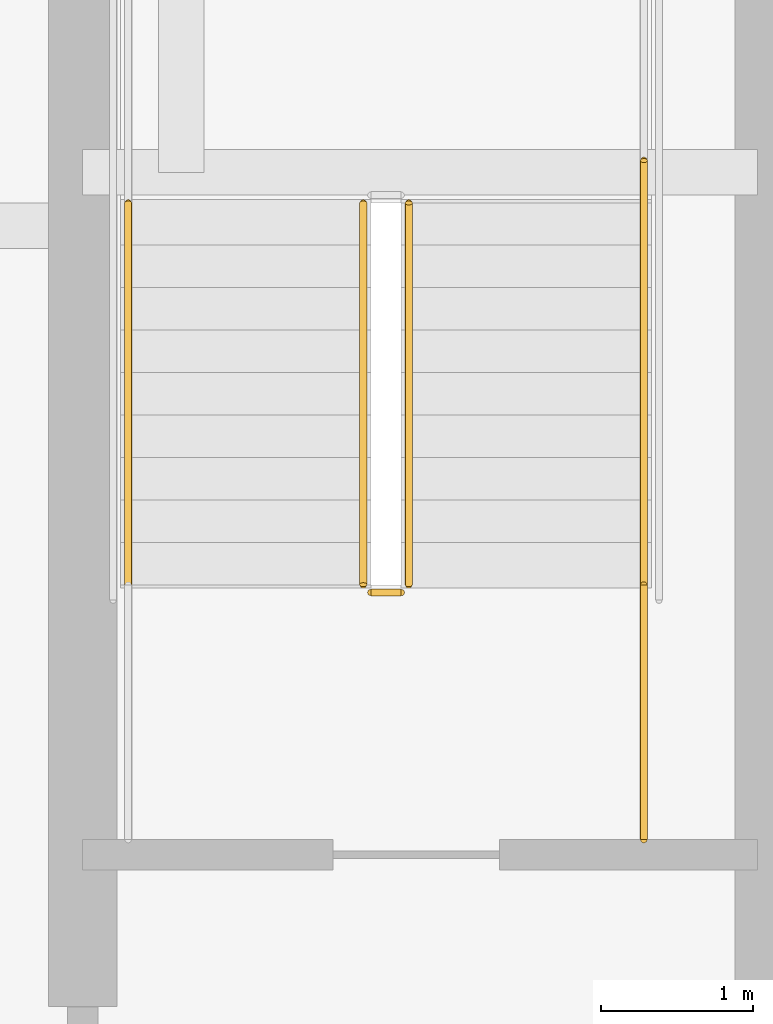
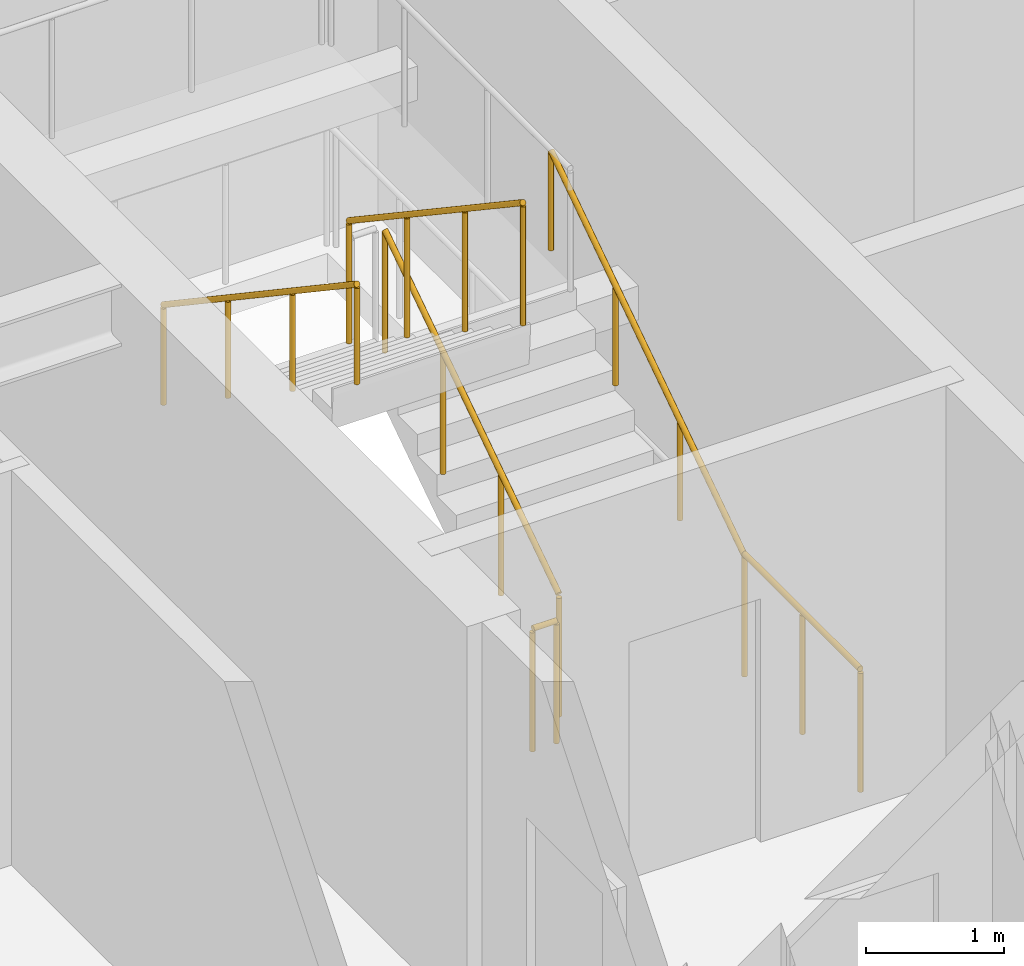
# One storey, part 35 of 40: 6 railings.
"""IFC4 building model written with IfcOpenShell, lengths in metres."""

from ifc_helpers import new_model, si_unit, direction, frame, origin, origin_2d, place, context, subcontext, project, spatial, circle, extrude, material, type_object, element, save


model = new_model("IFC4")

# Units and contexts
model_context = context("Model", 3, precision=1e-05, world=origin(), true_north=direction((0.0, 1.0)))
body_context = subcontext(model_context, "Body", "Model", "MODEL_VIEW")
ifc_project = project(units=[si_unit("LENGTHUNIT", "METRE"), si_unit("AREAUNIT", "SQUARE_METRE"), si_unit("VOLUMEUNIT", "CUBIC_METRE"), si_unit("PLANEANGLEUNIT", "RADIAN"), si_unit("MASSUNIT", "GRAM", prefix="KILO")], contexts=[model_context])

# Site, building, storey
site_placement = place(None, origin())
site = spatial("IfcSite", under=ifc_project, at=site_placement, CompositionType="ELEMENT")
building_placement = place(site_placement, origin())
building = spatial("IfcBuilding", under=site, at=building_placement, Name="Serunith Strait Residences", CompositionType="ELEMENT")
storey_placement = place(building_placement, frame((0.0, 0.0, 90.449951171875)))
storey = spatial("IfcBuildingStorey", under=building, at=storey_placement, Name="L22", CompositionType="ELEMENT", Elevation=90.449951171875)

# Railings
ifc_material = material(Name="Brushed stainless steel 316L", Category="steel")
railing_type_1 = type_object("IfcRailingType", Name="RLG-STAIR-GUARD", PredefinedType="BALUSTRADE", material=ifc_material)
railing_1_placement = place(storey_placement, frame((25.550048828125, 27.030029296875, 0.1875)))
element("IfcRailing", 1, at=railing_1_placement, inside=storey, type_object=railing_type_1, Name="L22 ST-1 stair guard 1", PredefinedType="BALUSTRADE", context=body_context, shape_type="SweptSolid", body=[
    extrude(circle(Radius=0.02392578125, at=origin_2d()), frame((0.0, 0.001708984375, 1.0771484375), z_axis=(0.0, 0.830909170722, 0.55640807867), x_axis=(-1.0, 0.0, 0.0)), (0.0, 0.0, 1.0), 3.02880859375),
    extrude(circle(Radius=0.02099609375, at=origin_2d()), origin(), (0.0, 0.0, 1.0), 1.050048828125),
    extrude(circle(Radius=0.02099609375, at=origin_2d()), frame((0.0, 0.840087890625, 0.5625)), (0.0, 0.0, 1.0), 1.050048828125),
    extrude(circle(Radius=0.02099609375, at=origin_2d()), frame((0.0, 1.679931640625, 1.125)), (0.0, 0.0, 1.0), 1.050048828125),
    extrude(circle(Radius=0.02099609375, at=origin_2d()), frame((0.0, 2.52001953125, 1.6875)), (0.0, 0.0, 1.0), 1.050048828125),
])
railing_2_placement = place(storey_placement, frame((25.25, 29.550048828125, 2.0625)))
element("IfcRailing", 2, at=railing_2_placement, inside=storey, type_object=railing_type_1, Name="L22 ST-1 stair guard 6", PredefinedType="BALUSTRADE", context=body_context, shape_type="SweptSolid", body=[
    extrude(circle(Radius=0.02392578125, at=origin_2d()), frame((0.0, -0.001708984375, 1.0771484375), z_axis=(0.0, -0.830909170722, 0.55640807867), x_axis=(1.0, 0.0, 0.0)), (0.0, 0.0, 1.0), 3.02880859375),
    extrude(circle(Radius=0.02099609375, at=origin_2d()), origin(), (0.0, 0.0, 1.0), 1.050048828125),
    extrude(circle(Radius=0.02099609375, at=origin_2d()), frame((0.0, -0.840087890625, 0.5625)), (0.0, 0.0, 1.0), 1.050048828125),
    extrude(circle(Radius=0.02099609375, at=origin_2d()), frame((0.0, -1.679931640625, 1.125)), (0.0, 0.0, 1.0), 1.050048828125),
    extrude(circle(Radius=0.02099609375, at=origin_2d()), frame((0.0, -2.52001953125, 1.6875)), (0.0, 0.0, 1.0), 1.050048828125),
])
railing_3_placement = place(storey_placement, frame((25.5, 26.97998046875, 0.0)))
element("IfcRailing", 3, at=railing_3_placement, inside=storey, type_object=railing_type_1, Name="L22 ST-1 stair guard 7", PredefinedType="BALUSTRADE", context=body_context, shape_type="SweptSolid", body=[
    extrude(circle(Radius=0.02392578125, at=origin_2d()), frame((-0.001953125, 0.0, 1.076171875), z_axis=(-1.0, 0.0, 0.0), x_axis=(0.0, -1.0, 0.0)), (0.0, 0.0, 1.0), 0.196044921875),
    extrude(circle(Radius=0.02099609375, at=origin_2d()), origin(), (0.0, 0.0, 1.0), 1.050048828125),
    extrude(circle(Radius=0.02099609375, at=origin_2d()), frame((-0.199951171875, 0.0, 0.0)), (0.0, 0.0, 1.0), 1.050048828125),
])
railing_4_placement = place(storey_placement, frame((27.10009765625, 25.35009765625, 0.0)))
element("IfcRailing", 4, at=railing_4_placement, inside=storey, type_object=railing_type_1, Name="L22 ST-1 stair guard 8", PredefinedType="BALUSTRADE", context=body_context, shape_type="SweptSolid", body=[
    extrude(circle(Radius=0.02392578125, at=origin_2d()), frame((0.0, 0.001953125, 1.076171875), z_axis=(0.0, 1.0, 0.0), x_axis=(-1.0, 0.0, 0.0)), (0.0, 0.0, 1.0), 1.676025390625),
    extrude(circle(Radius=0.02099609375, at=origin_2d()), origin(), (0.0, 0.0, 1.0), 1.050048828125),
    extrude(circle(Radius=0.02099609375, at=origin_2d()), frame((0.0, 0.83984375, 0.0)), (0.0, 0.0, 1.0), 1.050048828125),
    extrude(circle(Radius=0.02099609375, at=origin_2d()), frame((0.0, 1.679931640625, 0.0)), (0.0, 0.0, 1.0), 1.050048828125),
])
railing_type_2 = type_object("IfcRailingType", Name="RLG-STAIR-HR", PredefinedType="HANDRAIL", material=ifc_material)
railing_5_placement = place(storey_placement, frame((27.10009765625, 27.030029296875, 0.1875)))
element("IfcRailing", 5, at=railing_5_placement, inside=storey, type_object=railing_type_2, Name="L22 ST-1 stair handrail 1", PredefinedType="HANDRAIL", context=body_context, shape_type="SweptSolid", body=[
    extrude(circle(Radius=0.02392578125, at=origin_2d()), frame((0.0, 0.001708984375, 0.876953125), z_axis=(0.0, 0.830208209119, 0.557453432594), x_axis=(-1.0, 0.0, 0.0)), (0.0, 0.0, 1.0), 3.36865234375),
    extrude(circle(Radius=0.02099609375, at=origin_2d()), origin(), (0.0, 0.0, 1.0), 0.849853515625),
    extrude(circle(Radius=0.02099609375, at=origin_2d()), frame((0.0, 0.933349609375, 0.626708984375)), (0.0, 0.0, 1.0), 0.849853515625),
    extrude(circle(Radius=0.02099609375, at=origin_2d()), frame((0.0, 1.86669921875, 1.25341796875)), (0.0, 0.0, 1.0), 0.849853515625),
    extrude(circle(Radius=0.02099609375, at=origin_2d()), frame((0.0, 2.800048828125, 1.880126953125)), (0.0, 0.0, 1.0), 0.849853515625),
])
railing_6_placement = place(storey_placement, frame((23.699951171875, 29.550048828125, 2.0625)))
element("IfcRailing", 6, at=railing_6_placement, inside=storey, type_object=railing_type_2, Name="L22 ST-1 stair handrail 2", PredefinedType="HANDRAIL", context=body_context, shape_type="SweptSolid", body=[
    extrude(circle(Radius=0.02392578125, at=origin_2d()), frame((0.0, -0.001708984375, 0.876953125), z_axis=(0.0, -0.830208209119, 0.557453432594), x_axis=(1.0, 0.0, 0.0)), (0.0, 0.0, 1.0), 3.36865234375),
    extrude(circle(Radius=0.02099609375, at=origin_2d()), origin(), (0.0, 0.0, 1.0), 0.849853515625),
    extrude(circle(Radius=0.02099609375, at=origin_2d()), frame((0.0, -0.933349609375, 0.626708984375)), (0.0, 0.0, 1.0), 0.849853515625),
    extrude(circle(Radius=0.02099609375, at=origin_2d()), frame((0.0, -1.86669921875, 1.25341796875)), (0.0, 0.0, 1.0), 0.849853515625),
    extrude(circle(Radius=0.02099609375, at=origin_2d()), frame((0.0, -2.800048828125, 1.880126953125)), (0.0, 0.0, 1.0), 0.849853515625),
])

save(model, "model.ifc")
